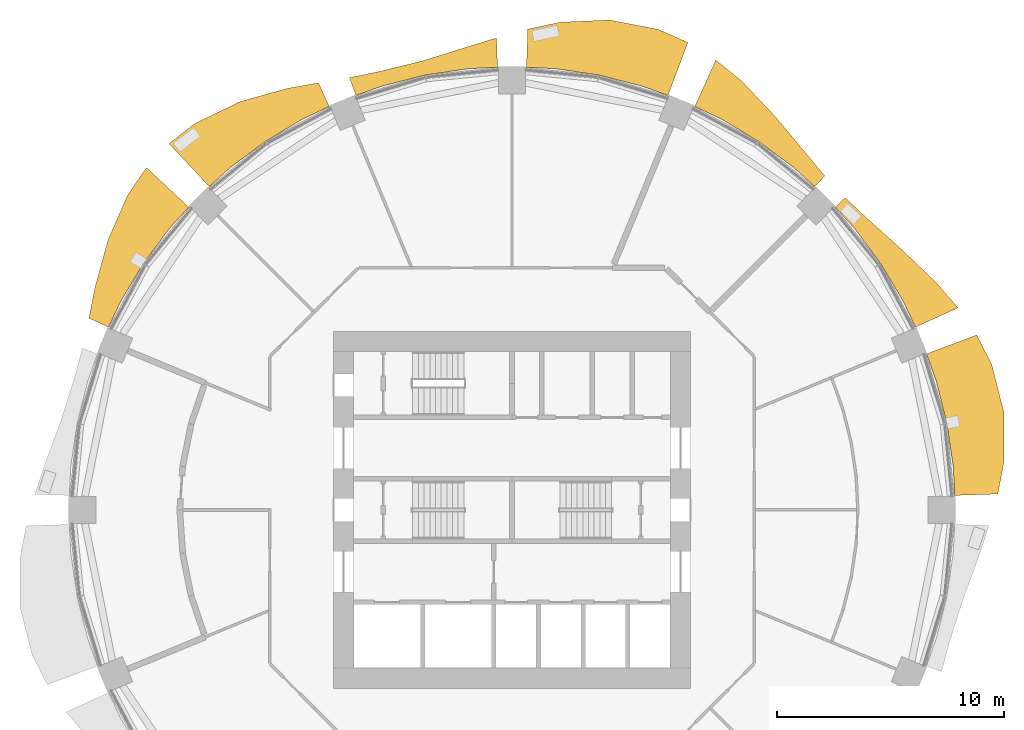
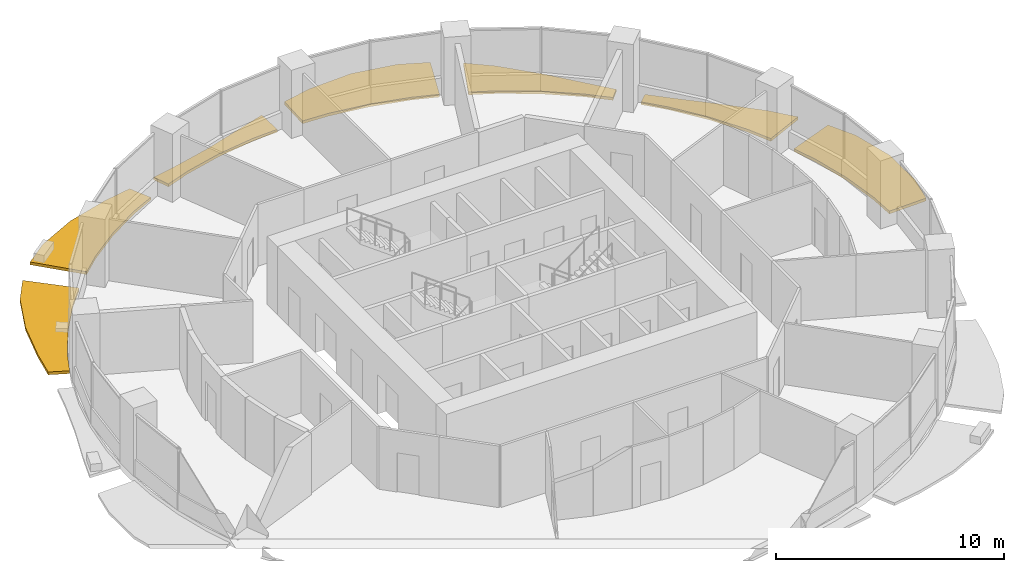
# One storey, part 14 of 15: 7 shading devices.
"""IFC4 building model written with IfcOpenShell, lengths in metres."""

from ifc_helpers import new_model, si_unit, direction, frame, origin, place, context, subcontext, project, spatial, polyline, outline, extrude, material, type_object, element, save


model = new_model("IFC4")

# Units and contexts
model_context = context("Model", 3, precision=1e-05, world=origin(), true_north=direction((0.0, 1.0)))
body_context = subcontext(model_context, "Body", "Model", "MODEL_VIEW")
ifc_project = project(units=[si_unit("LENGTHUNIT", "METRE"), si_unit("AREAUNIT", "SQUARE_METRE"), si_unit("VOLUMEUNIT", "CUBIC_METRE"), si_unit("PLANEANGLEUNIT", "RADIAN"), si_unit("MASSUNIT", "GRAM", prefix="KILO")], contexts=[model_context])

# Site, building, storey
site_placement = place(None, origin())
site = spatial("IfcSite", under=ifc_project, at=site_placement, CompositionType="ELEMENT")
building_placement = place(site_placement, origin())
building = spatial("IfcBuilding", under=site, at=building_placement, Name="Polderwave Tower", CompositionType="ELEMENT")
storey_placement = place(building_placement, frame((0.0, 0.0, 62.699951171875)))
storey = spatial("IfcBuildingStorey", under=building, at=storey_placement, Name="L16", CompositionType="ELEMENT", Elevation=62.699951171875)

# Shading devices
ifc_material = material(Name="Terracotta", Category="masonry")
shading_device_type = type_object("IfcShadingDeviceType", Name="Terracotta sunshade band", PredefinedType="USERDEFINED", material=ifc_material)
shading_device_1_placement = place(storey_placement, frame((0.0, 0.0, -0.349853515625)))
element("IfcShadingDevice", 1, at=shading_device_1_placement, inside=storey, type_object=shading_device_type, Name="Sunshade band L16 1", ObjectType="SUNSHADE", PredefinedType="USERDEFINED", context=body_context, shape_type="SweptSolid", body=[
    extrude(outline(polyline([(19.508544921875, 0.63818359375), (19.44580078125, 1.915283203125), (19.16455078125, 3.81201171875), (18.698486328125, 5.672119140625), (18.267822265625, 6.8759765625), (20.478515625, 7.7080078125), (21.140625, 6.412841796875), (21.677001953125, 4.311767578125), (21.682373046875, 2.135498046875), (21.413818359375, 0.70068359375), (19.508544921875, 0.63818359375)])), origin(), (0.0, 0.0, 1.0), 0.14990234375),
])
shading_device_2_placement = place(storey_placement, frame((0.0, 0.0, -0.349853515625)))
element("IfcShadingDevice", 2, at=shading_device_2_placement, inside=storey, type_object=shading_device_type, Name="Sunshade band L16 2", ObjectType="SUNSHADE", PredefinedType="USERDEFINED", context=body_context, shape_type="SweptSolid", body=[
    extrude(outline(polyline([(17.779296875, 8.055419921875), (17.232666015625, 9.211181640625), (16.246826171875, 10.855712890625), (15.1044921875, 12.39599609375), (14.24609375, 13.343505859375), (14.686279296875, 13.755859375), (15.65380859375, 12.8466796875), (17.173095703125, 11.474609375), (18.715576171875, 10.003662109375), (19.652587890625, 8.904052734375), (17.779296875, 8.055419921875)])), origin(), (0.0, 0.0, 1.0), 0.14990234375),
])
shading_device_3_placement = place(storey_placement, frame((0.0, 0.0, -0.349853515625)))
element("IfcShadingDevice", 3, at=shading_device_3_placement, inside=storey, type_object=shading_device_type, Name="Sunshade band L16 3", ObjectType="SUNSHADE", PredefinedType="USERDEFINED", context=body_context, shape_type="SweptSolid", body=[
    extrude(outline(polyline([(13.343505859375, 14.24609375), (12.39599609375, 15.1044921875), (10.855712890625, 16.246826171875), (9.211181640625, 17.232666015625), (8.055419921875, 17.779296875), (8.982666015625, 19.826416015625), (10.109619140625, 18.9140625), (11.59228515625, 17.349365234375), (12.927490234375, 15.752197265625), (13.786376953125, 14.718994140625), (13.343505859375, 14.24609375)])), origin(), (0.0, 0.0, 1.0), 0.14990234375),
])
shading_device_4_placement = place(storey_placement, frame((0.0, 0.0, -0.349853515625)))
element("IfcShadingDevice", 4, at=shading_device_4_placement, inside=storey, type_object=shading_device_type, Name="Sunshade band L16 4", ObjectType="SUNSHADE", PredefinedType="USERDEFINED", context=body_context, shape_type="SweptSolid", body=[
    extrude(outline(polyline([(6.8759765625, 18.267822265625), (5.672119140625, 18.698486328125), (3.81201171875, 19.16455078125), (1.915283203125, 19.44580078125), (0.63818359375, 19.508544921875), (0.693115234375, 21.18896484375), (2.11669921875, 21.492431640625), (4.294677734375, 21.5908203125), (6.42578125, 21.18359375), (7.7529296875, 20.597900390625), (6.8759765625, 18.267822265625)])), origin(), (0.0, 0.0, 1.0), 0.14990234375),
])
shading_device_5_placement = place(storey_placement, frame((0.0, 0.0, -0.349853515625)))
element("IfcShadingDevice", 5, at=shading_device_5_placement, inside=storey, type_object=shading_device_type, Name="Sunshade band L16 5", ObjectType="SUNSHADE", PredefinedType="USERDEFINED", context=body_context, shape_type="SweptSolid", body=[
    extrude(outline(polyline([(-0.63818359375, 19.508544921875), (-1.915283203125, 19.44580078125), (-3.81201171875, 19.16455078125), (-5.672119140625, 18.698486328125), (-6.8759765625, 18.267822265625), (-7.171142578125, 19.052001953125), (-5.8603515625, 19.31884765625), (-3.9365234375, 19.79052734375), (-2.008544921875, 20.39404296875), (-0.680419921875, 20.8017578125), (-0.63818359375, 19.508544921875)])), origin(), (0.0, 0.0, 1.0), 0.14990234375),
])
shading_device_6_placement = place(storey_placement, frame((0.0, 0.0, -0.349853515625)))
element("IfcShadingDevice", 6, at=shading_device_6_placement, inside=storey, type_object=shading_device_type, Name="Sunshade band L16 6", ObjectType="SUNSHADE", PredefinedType="USERDEFINED", context=body_context, shape_type="SweptSolid", body=[
    extrude(outline(polyline([(-8.055419921875, 17.779296875), (-9.211181640625, 17.232666015625), (-10.855712890625, 16.246826171875), (-12.39599609375, 15.1044921875), (-13.343505859375, 14.24609375), (-15.118408203125, 16.14111328125), (-13.9755859375, 17.029296875), (-12.014892578125, 17.9814453125), (-9.927001953125, 18.572021484375), (-8.527099609375, 18.82080078125), (-8.055419921875, 17.779296875)])), origin(), (0.0, 0.0, 1.0), 0.14990234375),
])
shading_device_7_placement = place(storey_placement, frame((0.0, 0.0, -0.349853515625)))
element("IfcShadingDevice", 7, at=shading_device_7_placement, inside=storey, type_object=shading_device_type, Name="Sunshade band L16 7", ObjectType="SUNSHADE", PredefinedType="USERDEFINED", context=body_context, shape_type="SweptSolid", body=[
    extrude(outline(polyline([(-14.24609375, 13.343505859375), (-15.1044921875, 12.39599609375), (-16.246826171875, 10.855712890625), (-17.232666015625, 9.211181640625), (-17.779296875, 8.055419921875), (-18.647216796875, 8.448486328125), (-18.373779296875, 9.82080078125), (-17.80517578125, 11.897216796875), (-16.9306640625, 13.89453125), (-16.1083984375, 15.087890625), (-14.24609375, 13.343505859375)])), origin(), (0.0, 0.0, 1.0), 0.14990234375),
])

save(model, "model.ifc")
